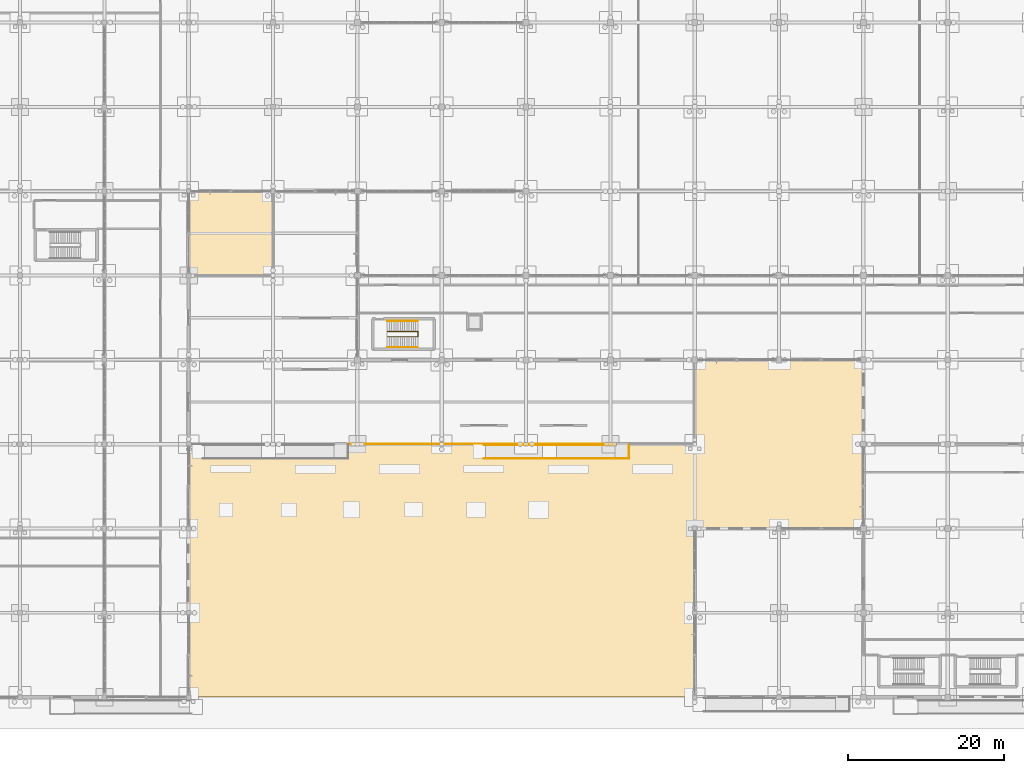
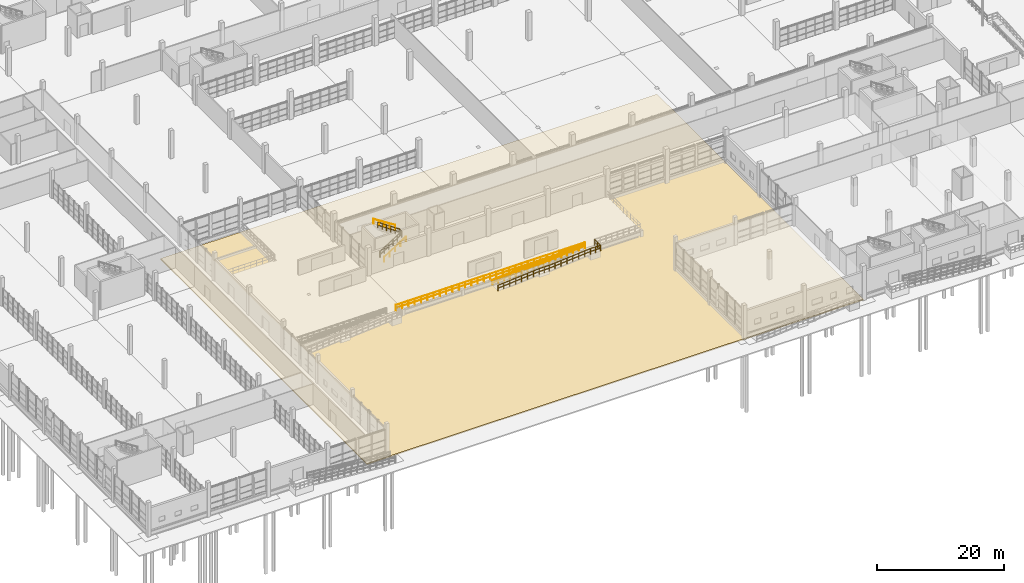
# One storey, part 127 of 138: 7 railings, 1 covering.
"""IFC4 building model written with IfcOpenShell, lengths in metres."""

from ifc_helpers import new_model, si_unit, direction, frame, origin, origin_2d, place, context, subcontext, project, spatial, polyline, circle, outline, extrude, material, layer, layer_set, type_object, element, save


model = new_model("IFC4")

# Units and contexts
model_context = context("Model", 3, precision=1e-05, world=origin(), true_north=direction((0.0, 1.0)))
body_context = subcontext(model_context, "Body", "Model", "MODEL_VIEW")
ifc_project = project(units=[si_unit("LENGTHUNIT", "METRE"), si_unit("AREAUNIT", "SQUARE_METRE"), si_unit("VOLUMEUNIT", "CUBIC_METRE"), si_unit("PLANEANGLEUNIT", "RADIAN"), si_unit("MASSUNIT", "GRAM", prefix="KILO")], contexts=[model_context])

# Site, building, storey
site_placement = place(None, origin())
site = spatial("IfcSite", under=ifc_project, at=site_placement, CompositionType="ELEMENT")
building_placement = place(site_placement, origin())
building = spatial("IfcBuilding", under=site, at=building_placement, Name="Zwinboog Wholesale Market", CompositionType="ELEMENT")
storey_placement = place(building_placement, origin())
storey = spatial("IfcBuildingStorey", under=building, at=storey_placement, Name="L00", CompositionType="ELEMENT", Elevation=0.0)

# Railings
ifc_material_1 = material(Name="Steel S355", Category="steel")
railing_type_1 = type_object("IfcRailingType", Name="RLT-EXT-GUARD", PredefinedType="BALUSTRADE", material=ifc_material_1)
railing_1_placement = place(storey_placement, frame((63.60009765625, 32.449951171875, 0.0)))
element("IfcRailing", 1, at=railing_1_placement, inside=storey, type_object=railing_type_1, Name="GR-01 (RLG-EXT-03)", PredefinedType="BALUSTRADE", context=body_context, shape_type="SweptSolid", body=[
    extrude(circle(Radius=0.02392578125, at=origin_2d()), frame((0.0, 0.0, 1.09619140625), z_axis=(1.0, 0.0, 0.0), x_axis=(0.0, 1.0, 0.0)), (0.0, 0.0, 1.0), 34.199951171875),
    extrude(circle(Radius=0.02392578125, at=origin_2d()), frame((0.0, 0.0, 0.5361328125), z_axis=(1.0, 0.0, 0.0), x_axis=(0.0, 1.0, 0.0)), (0.0, 0.0, 1.0), 34.199951171875),
    extrude(circle(Radius=0.02099609375, at=origin_2d()), origin(), (0.0, 0.0, 1.0), 1.072021484375),
    extrude(circle(Radius=0.02099609375, at=origin_2d()), frame((1.139892578125, 0.0, 0.0)), (0.0, 0.0, 1.0), 1.072021484375),
    extrude(circle(Radius=0.02099609375, at=origin_2d()), frame((2.280029296875, 0.0, 0.0)), (0.0, 0.0, 1.0), 1.072021484375),
    extrude(circle(Radius=0.02099609375, at=origin_2d()), frame((3.419921875, 0.0, 0.0)), (0.0, 0.0, 1.0), 1.072021484375),
    extrude(circle(Radius=0.02099609375, at=origin_2d()), frame((4.56005859375, 0.0, 0.0)), (0.0, 0.0, 1.0), 1.072021484375),
    extrude(circle(Radius=0.02099609375, at=origin_2d()), frame((5.699951171875, 0.0, 0.0)), (0.0, 0.0, 1.0), 1.072021484375),
    extrude(circle(Radius=0.02099609375, at=origin_2d()), frame((6.840087890625, 0.0, 0.0)), (0.0, 0.0, 1.0), 1.072021484375),
    extrude(circle(Radius=0.02099609375, at=origin_2d()), frame((7.97998046875, 0.0, 0.0)), (0.0, 0.0, 1.0), 1.072021484375),
    extrude(circle(Radius=0.02099609375, at=origin_2d()), frame((9.119873046875, 0.0, 0.0)), (0.0, 0.0, 1.0), 1.072021484375),
    extrude(circle(Radius=0.02099609375, at=origin_2d()), frame((10.260009765625, 0.0, 0.0)), (0.0, 0.0, 1.0), 1.072021484375),
    extrude(circle(Radius=0.02099609375, at=origin_2d()), frame((11.39990234375, 0.0, 0.0)), (0.0, 0.0, 1.0), 1.072021484375),
    extrude(circle(Radius=0.02099609375, at=origin_2d()), frame((12.5400390625, 0.0, 0.0)), (0.0, 0.0, 1.0), 1.072021484375),
    extrude(circle(Radius=0.02099609375, at=origin_2d()), frame((13.679931640625, 0.0, 0.0)), (0.0, 0.0, 1.0), 1.072021484375),
    extrude(circle(Radius=0.02099609375, at=origin_2d()), frame((14.820068359375, 0.0, 0.0)), (0.0, 0.0, 1.0), 1.072021484375),
    extrude(circle(Radius=0.02099609375, at=origin_2d()), frame((15.9599609375, 0.0, 0.0)), (0.0, 0.0, 1.0), 1.072021484375),
    extrude(circle(Radius=0.02099609375, at=origin_2d()), frame((17.10009765625, 0.0, 0.0)), (0.0, 0.0, 1.0), 1.072021484375),
    extrude(circle(Radius=0.02099609375, at=origin_2d()), frame((18.239990234375, 0.0, 0.0)), (0.0, 0.0, 1.0), 1.072021484375),
    extrude(circle(Radius=0.02099609375, at=origin_2d()), frame((19.3798828125, 0.0, 0.0)), (0.0, 0.0, 1.0), 1.072021484375),
    extrude(circle(Radius=0.02099609375, at=origin_2d()), frame((20.52001953125, 0.0, 0.0)), (0.0, 0.0, 1.0), 1.072021484375),
    extrude(circle(Radius=0.02099609375, at=origin_2d()), frame((21.659912109375, 0.0, 0.0)), (0.0, 0.0, 1.0), 1.072021484375),
    extrude(circle(Radius=0.02099609375, at=origin_2d()), frame((22.800048828125, 0.0, 0.0)), (0.0, 0.0, 1.0), 1.072021484375),
    extrude(circle(Radius=0.02099609375, at=origin_2d()), frame((23.93994140625, 0.0, 0.0)), (0.0, 0.0, 1.0), 1.072021484375),
    extrude(circle(Radius=0.02099609375, at=origin_2d()), frame((25.080078125, 0.0, 0.0)), (0.0, 0.0, 1.0), 1.072021484375),
    extrude(circle(Radius=0.02099609375, at=origin_2d()), frame((26.219970703125, 0.0, 0.0)), (0.0, 0.0, 1.0), 1.072021484375),
    extrude(circle(Radius=0.02099609375, at=origin_2d()), frame((27.35986328125, 0.0, 0.0)), (0.0, 0.0, 1.0), 1.072021484375),
    extrude(circle(Radius=0.02099609375, at=origin_2d()), frame((28.5, 0.0, 0.0)), (0.0, 0.0, 1.0), 1.072021484375),
    extrude(circle(Radius=0.02099609375, at=origin_2d()), frame((29.639892578125, 0.0, 0.0)), (0.0, 0.0, 1.0), 1.072021484375),
    extrude(circle(Radius=0.02099609375, at=origin_2d()), frame((30.780029296875, 0.0, 0.0)), (0.0, 0.0, 1.0), 1.072021484375),
    extrude(circle(Radius=0.02099609375, at=origin_2d()), frame((31.919921875, 0.0, 0.0)), (0.0, 0.0, 1.0), 1.072021484375),
    extrude(circle(Radius=0.02099609375, at=origin_2d()), frame((33.06005859375, 0.0, 0.0)), (0.0, 0.0, 1.0), 1.072021484375),
    extrude(circle(Radius=0.02099609375, at=origin_2d()), frame((34.199951171875, 0.0, 0.0)), (0.0, 0.0, 1.0), 1.072021484375),
])
railing_2_placement = place(storey_placement, frame((81.0, 30.590087890625, -1.199951171875)))
element("IfcRailing", 2, at=railing_2_placement, inside=storey, type_object=railing_type_1, Name="GR-01 (RLG-RMP-02-GO)", PredefinedType="BALUSTRADE", context=body_context, shape_type="SweptSolid", body=[
    extrude(circle(Radius=0.02392578125, at=origin_2d()), frame((0.0, 0.0, 1.09619140625), z_axis=(0.99681682597, 0.0, 0.079725876999), x_axis=(0.0, 1.0, 0.0)), (0.0, 0.0, 1.0), 7.52392578125),
    extrude(circle(Radius=0.02392578125, at=origin_2d()), frame((0.0, 0.0, 0.5361328125), z_axis=(0.99681682597, 0.0, 0.079725876999), x_axis=(0.0, 1.0, 0.0)), (0.0, 0.0, 1.0), 7.52392578125),
    extrude(circle(Radius=0.02392578125, at=origin_2d()), frame((7.5, 0.0, 1.69580078125), z_axis=(1.0, 0.0, 0.0), x_axis=(0.0, 1.0, 0.0)), (0.0, 0.0, 1.0), 1.800048828125),
    extrude(circle(Radius=0.02392578125, at=origin_2d()), frame((7.5, 0.0, 1.1357421875), z_axis=(1.0, 0.0, 0.0), x_axis=(0.0, 1.0, 0.0)), (0.0, 0.0, 1.0), 1.800048828125),
    extrude(circle(Radius=0.02392578125, at=origin_2d()), frame((9.300048828125, 0.0, 1.69580078125), z_axis=(0.996814246708, 0.0, 0.079758119089), x_axis=(0.0, 1.0, 0.0)), (0.0, 0.0, 1.0), 7.52392578125),
    extrude(circle(Radius=0.02392578125, at=origin_2d()), frame((9.300048828125, 0.0, 1.1357421875), z_axis=(0.996814246708, 0.0, 0.079758119089), x_axis=(0.0, 1.0, 0.0)), (0.0, 0.0, 1.0), 7.52392578125),
    extrude(circle(Radius=0.02392578125, at=origin_2d()), frame((16.800048828125, 0.0, 2.2958984375), z_axis=(1.0, 0.0, 0.0), x_axis=(0.0, 1.0, 0.0)), (0.0, 0.0, 1.0), 1.800048828125),
    extrude(circle(Radius=0.02392578125, at=origin_2d()), frame((16.800048828125, 0.0, 1.73583984375), z_axis=(1.0, 0.0, 0.0), x_axis=(0.0, 1.0, 0.0)), (0.0, 0.0, 1.0), 1.800048828125),
    extrude(circle(Radius=0.02392578125, at=origin_2d()), frame((18.60009765625, 0.0, 2.2958984375), z_axis=(0.0, 1.0, 0.0), x_axis=(-1.0, 0.0, 0.0)), (0.0, 0.0, 1.0), 1.809814453125),
    extrude(circle(Radius=0.02392578125, at=origin_2d()), frame((18.60009765625, 0.0, 1.73583984375), z_axis=(0.0, 1.0, 0.0), x_axis=(-1.0, 0.0, 0.0)), (0.0, 0.0, 1.0), 1.809814453125),
    extrude(circle(Radius=0.02099609375, at=origin_2d()), origin(), (0.0, 0.0, 1.0), 1.072021484375),
    extrude(circle(Radius=0.02099609375, at=origin_2d()), frame((1.071533203125, 0.0, 0.085693359375)), (0.0, 0.0, 1.0), 1.072021484375),
    extrude(circle(Radius=0.02099609375, at=origin_2d()), frame((2.142822265625, 0.0, 0.17138671875)), (0.0, 0.0, 1.0), 1.072021484375),
    extrude(circle(Radius=0.02099609375, at=origin_2d()), frame((3.21435546875, 0.0, 0.257080078125)), (0.0, 0.0, 1.0), 1.072021484375),
    extrude(circle(Radius=0.02099609375, at=origin_2d()), frame((4.28564453125, 0.0, 0.3427734375)), (0.0, 0.0, 1.0), 1.072021484375),
    extrude(circle(Radius=0.02099609375, at=origin_2d()), frame((5.357177734375, 0.0, 0.428466796875)), (0.0, 0.0, 1.0), 1.072021484375),
    extrude(circle(Radius=0.02099609375, at=origin_2d()), frame((6.428466796875, 0.0, 0.51416015625)), (0.0, 0.0, 1.0), 1.072021484375),
    extrude(circle(Radius=0.02099609375, at=origin_2d()), frame((7.5, 0.0, 0.599853515625)), (0.0, 0.0, 1.0), 1.072021484375),
    extrude(circle(Radius=0.02099609375, at=origin_2d()), frame((8.39990234375, 0.0, 0.599853515625)), (0.0, 0.0, 1.0), 1.072021484375),
    extrude(circle(Radius=0.02099609375, at=origin_2d()), frame((9.300048828125, 0.0, 0.599853515625)), (0.0, 0.0, 1.0), 1.072021484375),
    extrude(circle(Radius=0.02099609375, at=origin_2d()), frame((10.37158203125, 0.0, 0.685546875)), (0.0, 0.0, 1.0), 1.072021484375),
    extrude(circle(Radius=0.02099609375, at=origin_2d()), frame((11.44287109375, 0.0, 0.771240234375)), (0.0, 0.0, 1.0), 1.072021484375),
    extrude(circle(Radius=0.02099609375, at=origin_2d()), frame((12.514404296875, 0.0, 0.85693359375)), (0.0, 0.0, 1.0), 1.072021484375),
    extrude(circle(Radius=0.02099609375, at=origin_2d()), frame((13.585693359375, 0.0, 0.94287109375)), (0.0, 0.0, 1.0), 1.072021484375),
    extrude(circle(Radius=0.02099609375, at=origin_2d()), frame((14.6572265625, 0.0, 1.028564453125)), (0.0, 0.0, 1.0), 1.072021484375),
    extrude(circle(Radius=0.02099609375, at=origin_2d()), frame((15.728515625, 0.0, 1.1142578125)), (0.0, 0.0, 1.0), 1.072021484375),
    extrude(circle(Radius=0.02099609375, at=origin_2d()), frame((16.800048828125, 0.0, 1.199951171875)), (0.0, 0.0, 1.0), 1.072021484375),
    extrude(circle(Radius=0.02099609375, at=origin_2d()), frame((17.7001953125, 0.0, 1.199951171875)), (0.0, 0.0, 1.0), 1.072021484375),
    extrude(circle(Radius=0.02099609375, at=origin_2d()), frame((18.60009765625, 0.0, 1.199951171875)), (0.0, 0.0, 1.0), 1.072021484375),
    extrude(circle(Radius=0.02099609375, at=origin_2d()), frame((18.60009765625, 0.90478515625, 1.199951171875)), (0.0, 0.0, 1.0), 1.072021484375),
    extrude(circle(Radius=0.02099609375, at=origin_2d()), frame((18.60009765625, 1.809814453125, 1.199951171875)), (0.0, 0.0, 1.0), 1.072021484375),
])
railing_3_placement = place(storey_placement, frame((81.0, 32.320068359375, -1.199951171875)))
element("IfcRailing", 3, at=railing_3_placement, inside=storey, type_object=railing_type_1, Name="GR-01 (RLG-RMP-02-GI)", PredefinedType="BALUSTRADE", context=body_context, shape_type="SweptSolid", body=[
    extrude(circle(Radius=0.02392578125, at=origin_2d()), frame((0.0, 0.0, 1.09619140625), z_axis=(0.99681682597, 0.0, 0.079725876999), x_axis=(0.0, 1.0, 0.0)), (0.0, 0.0, 1.0), 7.52392578125),
    extrude(circle(Radius=0.02392578125, at=origin_2d()), frame((0.0, 0.0, 0.5361328125), z_axis=(0.99681682597, 0.0, 0.079725876999), x_axis=(0.0, 1.0, 0.0)), (0.0, 0.0, 1.0), 7.52392578125),
    extrude(circle(Radius=0.02392578125, at=origin_2d()), frame((7.5, 0.0, 1.69580078125), z_axis=(1.0, 0.0, 0.0), x_axis=(0.0, 1.0, 0.0)), (0.0, 0.0, 1.0), 1.800048828125),
    extrude(circle(Radius=0.02392578125, at=origin_2d()), frame((7.5, 0.0, 1.1357421875), z_axis=(1.0, 0.0, 0.0), x_axis=(0.0, 1.0, 0.0)), (0.0, 0.0, 1.0), 1.800048828125),
    extrude(circle(Radius=0.02392578125, at=origin_2d()), frame((9.300048828125, 0.0, 1.69580078125), z_axis=(0.996814246708, 0.0, 0.079758119089), x_axis=(0.0, 1.0, 0.0)), (0.0, 0.0, 1.0), 7.52392578125),
    extrude(circle(Radius=0.02392578125, at=origin_2d()), frame((9.300048828125, 0.0, 1.1357421875), z_axis=(0.996814246708, 0.0, 0.079758119089), x_axis=(0.0, 1.0, 0.0)), (0.0, 0.0, 1.0), 7.52392578125),
    extrude(circle(Radius=0.02099609375, at=origin_2d()), origin(), (0.0, 0.0, 1.0), 1.072021484375),
    extrude(circle(Radius=0.02099609375, at=origin_2d()), frame((1.071533203125, 0.0, 0.085693359375)), (0.0, 0.0, 1.0), 1.072021484375),
    extrude(circle(Radius=0.02099609375, at=origin_2d()), frame((2.142822265625, 0.0, 0.17138671875)), (0.0, 0.0, 1.0), 1.072021484375),
    extrude(circle(Radius=0.02099609375, at=origin_2d()), frame((3.21435546875, 0.0, 0.257080078125)), (0.0, 0.0, 1.0), 1.072021484375),
    extrude(circle(Radius=0.02099609375, at=origin_2d()), frame((4.28564453125, 0.0, 0.3427734375)), (0.0, 0.0, 1.0), 1.072021484375),
    extrude(circle(Radius=0.02099609375, at=origin_2d()), frame((5.357177734375, 0.0, 0.428466796875)), (0.0, 0.0, 1.0), 1.072021484375),
    extrude(circle(Radius=0.02099609375, at=origin_2d()), frame((6.428466796875, 0.0, 0.51416015625)), (0.0, 0.0, 1.0), 1.072021484375),
    extrude(circle(Radius=0.02099609375, at=origin_2d()), frame((7.5, 0.0, 0.599853515625)), (0.0, 0.0, 1.0), 1.072021484375),
    extrude(circle(Radius=0.02099609375, at=origin_2d()), frame((8.39990234375, 0.0, 0.599853515625)), (0.0, 0.0, 1.0), 1.072021484375),
    extrude(circle(Radius=0.02099609375, at=origin_2d()), frame((9.300048828125, 0.0, 0.599853515625)), (0.0, 0.0, 1.0), 1.072021484375),
    extrude(circle(Radius=0.02099609375, at=origin_2d()), frame((10.37158203125, 0.0, 0.685546875)), (0.0, 0.0, 1.0), 1.072021484375),
    extrude(circle(Radius=0.02099609375, at=origin_2d()), frame((11.44287109375, 0.0, 0.771240234375)), (0.0, 0.0, 1.0), 1.072021484375),
    extrude(circle(Radius=0.02099609375, at=origin_2d()), frame((12.514404296875, 0.0, 0.85693359375)), (0.0, 0.0, 1.0), 1.072021484375),
    extrude(circle(Radius=0.02099609375, at=origin_2d()), frame((13.585693359375, 0.0, 0.94287109375)), (0.0, 0.0, 1.0), 1.072021484375),
    extrude(circle(Radius=0.02099609375, at=origin_2d()), frame((14.6572265625, 0.0, 1.028564453125)), (0.0, 0.0, 1.0), 1.072021484375),
    extrude(circle(Radius=0.02099609375, at=origin_2d()), frame((15.728515625, 0.0, 1.1142578125)), (0.0, 0.0, 1.0), 1.072021484375),
    extrude(circle(Radius=0.02099609375, at=origin_2d()), frame((16.800048828125, 0.0, 1.199951171875)), (0.0, 0.0, 1.0), 1.072021484375),
])

# Covering
ifc_material_2 = material(Name="Concrete C35/45", Category="concrete")
ifc_layer = layer(ifc_material_2, 0.219970703125)
ifc_layer_set = layer_set([ifc_layer], Name="Concrete C35/45")
covering_type = type_object("IfcCoveringType", Name="COV-YARD-PAVE", PredefinedType="FLOORING", material=ifc_layer_set)
covering_placement = place(storey_placement, frame((0.0, 0.0, -1.419921875)))
element("IfcCovering", 4, at=covering_placement, inside=storey, type_object=covering_type, Name="South Park Garden Court Walkways", PredefinedType="FLOORING", context=body_context, shape_type="SweptSolid", body=[
    extrude(outline(polyline([(39.60009765625, 0.0), (129.60009765625, 0.0), (129.60009765625, 64.800048828125), (39.60009765625, 64.800048828125), (39.60009765625, 0.0)])), origin(), (0.0, 0.0, 1.0), 0.219970703125),
])

# Railings
railing_type_2 = type_object("IfcRailingType", Name="RLT-INT-GUARD", PredefinedType="BALUSTRADE", material=ifc_material_1)
railing_4_placement = place(storey_placement, frame((68.6201171875, 46.159912109375, 0.179931640625)))
element("IfcRailing", 5, at=railing_4_placement, inside=storey, type_object=railing_type_2, Name="GR-02 (RLG-ST-06-G1)", PredefinedType="BALUSTRADE", context=body_context, shape_type="SweptSolid", body=[
    extrude(circle(Radius=0.02392578125, at=origin_2d()), frame((0.0, 0.0, 1.09619140625), z_axis=(0.841171666519, 0.0, 0.540768182723), x_axis=(0.0, 1.0, 0.0)), (0.0, 0.0, 1.0), 4.66015625),
    extrude(circle(Radius=0.02392578125, at=origin_2d()), frame((0.0, 0.0, 0.5361328125), z_axis=(0.841171666519, 0.0, 0.540768182723), x_axis=(0.0, 1.0, 0.0)), (0.0, 0.0, 1.0), 4.66015625),
    extrude(circle(Radius=0.02392578125, at=origin_2d()), frame((3.919921875, 0.0, 3.6162109375), z_axis=(0.0, 1.0, 0.0), x_axis=(-1.0, 0.0, 0.0)), (0.0, 0.0, 1.0), 0.68017578125),
    extrude(circle(Radius=0.02392578125, at=origin_2d()), frame((3.919921875, 0.0, 3.05615234375), z_axis=(0.0, 1.0, 0.0), x_axis=(-1.0, 0.0, 0.0)), (0.0, 0.0, 1.0), 0.68017578125),
    extrude(circle(Radius=0.02392578125, at=origin_2d()), frame((3.919921875, 0.68017578125, 3.6162109375), z_axis=(-0.823550731654, 0.0, 0.567242622158), x_axis=(0.0, -1.0, 0.0)), (0.0, 0.0, 1.0), 4.759765625),
    extrude(circle(Radius=0.02392578125, at=origin_2d()), frame((3.919921875, 0.68017578125, 3.05615234375), z_axis=(-0.823550731654, 0.0, 0.567242622158), x_axis=(0.0, -1.0, 0.0)), (0.0, 0.0, 1.0), 4.759765625),
    extrude(circle(Radius=0.02099609375, at=origin_2d()), origin(), (0.0, 0.0, 1.0), 1.072021484375),
    extrude(circle(Radius=0.02099609375, at=origin_2d()), frame((0.783935546875, 0.0, 0.50390625)), (0.0, 0.0, 1.0), 1.072021484375),
    extrude(circle(Radius=0.02099609375, at=origin_2d()), frame((1.56787109375, 0.0, 1.008056640625)), (0.0, 0.0, 1.0), 1.072021484375),
    extrude(circle(Radius=0.02099609375, at=origin_2d()), frame((2.35205078125, 0.0, 1.511962890625)), (0.0, 0.0, 1.0), 1.072021484375),
    extrude(circle(Radius=0.02099609375, at=origin_2d()), frame((3.135986328125, 0.0, 2.01611328125)), (0.0, 0.0, 1.0), 1.072021484375),
    extrude(circle(Radius=0.02099609375, at=origin_2d()), frame((3.919921875, 0.0, 2.52001953125)), (0.0, 0.0, 1.0), 1.072021484375),
    extrude(circle(Radius=0.02099609375, at=origin_2d()), frame((3.919921875, 0.68017578125, 2.52001953125)), (0.0, 0.0, 1.0), 1.072021484375),
    extrude(circle(Radius=0.02099609375, at=origin_2d()), frame((3.135986328125, 0.68017578125, 3.06005859375)), (0.0, 0.0, 1.0), 1.072021484375),
    extrude(circle(Radius=0.02099609375, at=origin_2d()), frame((2.35205078125, 0.68017578125, 3.60009765625)), (0.0, 0.0, 1.0), 1.072021484375),
    extrude(circle(Radius=0.02099609375, at=origin_2d()), frame((1.56787109375, 0.68017578125, 4.139892578125)), (0.0, 0.0, 1.0), 1.072021484375),
    extrude(circle(Radius=0.02099609375, at=origin_2d()), frame((0.783935546875, 0.68017578125, 4.679931640625)), (0.0, 0.0, 1.0), 1.072021484375),
    extrude(circle(Radius=0.02099609375, at=origin_2d()), frame((0.0, 0.68017578125, 5.219970703125)), (0.0, 0.0, 1.0), 1.072021484375),
])
railing_type_3 = type_object("IfcRailingType", Name="RLT-HANDRAIL", PredefinedType="HANDRAIL", material=ifc_material_1)
railing_5_placement = place(storey_placement, frame((68.6201171875, 44.81005859375, 0.179931640625)))
element("IfcRailing", 6, at=railing_5_placement, inside=storey, type_object=railing_type_3, Name="HR-01 (RLG-ST-06-HR1)", PredefinedType="HANDRAIL", context=body_context, shape_type="SweptSolid", body=[
    extrude(circle(Radius=0.02392578125, at=origin_2d()), frame((0.0, 0.0, 0.8759765625), z_axis=(0.841171666519, 0.0, 0.540768182723), x_axis=(0.0, 1.0, 0.0)), (0.0, 0.0, 1.0), 4.66015625),
    extrude(circle(Radius=0.02099609375, at=origin_2d()), origin(), (0.0, 0.0, 1.0), 0.851806640625),
    extrude(circle(Radius=0.02099609375, at=origin_2d()), frame((0.97998046875, 0.0, 0.6298828125)), (0.0, 0.0, 1.0), 0.851806640625),
    extrude(circle(Radius=0.02099609375, at=origin_2d()), frame((1.9599609375, 0.0, 1.260009765625)), (0.0, 0.0, 1.0), 0.851806640625),
    extrude(circle(Radius=0.02099609375, at=origin_2d()), frame((2.93994140625, 0.0, 1.89013671875)), (0.0, 0.0, 1.0), 0.851806640625),
    extrude(circle(Radius=0.02099609375, at=origin_2d()), frame((3.919921875, 0.0, 2.52001953125)), (0.0, 0.0, 1.0), 0.851806640625),
])
railing_6_placement = place(storey_placement, frame((72.5400390625, 48.18994140625, 2.8798828125)))
element("IfcRailing", 7, at=railing_6_placement, inside=storey, type_object=railing_type_3, Name="HR-01 (RLG-ST-06-HR2)", PredefinedType="HANDRAIL", context=body_context, shape_type="SweptSolid", body=[
    extrude(circle(Radius=0.02392578125, at=origin_2d()), frame((0.0, 0.0, 0.8759765625), z_axis=(-0.841171666519, 0.0, 0.540768182723), x_axis=(0.0, -1.0, 0.0)), (0.0, 0.0, 1.0), 4.66015625),
    extrude(circle(Radius=0.02099609375, at=origin_2d()), origin(), (0.0, 0.0, 1.0), 0.851806640625),
    extrude(circle(Radius=0.02099609375, at=origin_2d()), frame((-0.97998046875, 0.0, 0.6298828125)), (0.0, 0.0, 1.0), 0.851806640625),
    extrude(circle(Radius=0.02099609375, at=origin_2d()), frame((-1.9599609375, 0.0, 1.260009765625)), (0.0, 0.0, 1.0), 0.851806640625),
    extrude(circle(Radius=0.02099609375, at=origin_2d()), frame((-2.93994140625, 0.0, 1.89013671875)), (0.0, 0.0, 1.0), 0.851806640625),
    extrude(circle(Radius=0.02099609375, at=origin_2d()), frame((-3.919921875, 0.0, 2.52001953125)), (0.0, 0.0, 1.0), 0.851806640625),
])
railing_7_placement = place(storey_placement, frame((81.0, 32.320068359375, -1.199951171875)))
element("IfcRailing", 8, at=railing_7_placement, inside=storey, type_object=railing_type_3, Name="HR-01 (RLG-RMP-02-HR)", PredefinedType="HANDRAIL", context=body_context, shape_type="SweptSolid", body=[
    extrude(circle(Radius=0.02392578125, at=origin_2d()), frame((0.0, 0.0, 0.8759765625), z_axis=(0.99681682597, 0.0, 0.079725876999), x_axis=(0.0, 1.0, 0.0)), (0.0, 0.0, 1.0), 7.52392578125),
    extrude(circle(Radius=0.02392578125, at=origin_2d()), frame((7.5, 0.0, 1.4755859375), z_axis=(1.0, 0.0, 0.0), x_axis=(0.0, 1.0, 0.0)), (0.0, 0.0, 1.0), 1.800048828125),
    extrude(circle(Radius=0.02392578125, at=origin_2d()), frame((9.300048828125, 0.0, 1.4755859375), z_axis=(0.996814246708, 0.0, 0.079758119089), x_axis=(0.0, 1.0, 0.0)), (0.0, 0.0, 1.0), 7.52392578125),
    extrude(circle(Radius=0.02099609375, at=origin_2d()), origin(), (0.0, 0.0, 1.0), 0.851806640625),
    extrude(circle(Radius=0.02099609375, at=origin_2d()), frame((1.071533203125, 0.0, 0.085693359375)), (0.0, 0.0, 1.0), 0.851806640625),
    extrude(circle(Radius=0.02099609375, at=origin_2d()), frame((2.142822265625, 0.0, 0.17138671875)), (0.0, 0.0, 1.0), 0.851806640625),
    extrude(circle(Radius=0.02099609375, at=origin_2d()), frame((3.21435546875, 0.0, 0.257080078125)), (0.0, 0.0, 1.0), 0.851806640625),
    extrude(circle(Radius=0.02099609375, at=origin_2d()), frame((4.28564453125, 0.0, 0.3427734375)), (0.0, 0.0, 1.0), 0.851806640625),
    extrude(circle(Radius=0.02099609375, at=origin_2d()), frame((5.357177734375, 0.0, 0.428466796875)), (0.0, 0.0, 1.0), 0.851806640625),
    extrude(circle(Radius=0.02099609375, at=origin_2d()), frame((6.428466796875, 0.0, 0.51416015625)), (0.0, 0.0, 1.0), 0.851806640625),
    extrude(circle(Radius=0.02099609375, at=origin_2d()), frame((7.5, 0.0, 0.599853515625)), (0.0, 0.0, 1.0), 0.851806640625),
    extrude(circle(Radius=0.02099609375, at=origin_2d()), frame((8.39990234375, 0.0, 0.599853515625)), (0.0, 0.0, 1.0), 0.851806640625),
    extrude(circle(Radius=0.02099609375, at=origin_2d()), frame((9.300048828125, 0.0, 0.599853515625)), (0.0, 0.0, 1.0), 0.851806640625),
    extrude(circle(Radius=0.02099609375, at=origin_2d()), frame((10.37158203125, 0.0, 0.685546875)), (0.0, 0.0, 1.0), 0.851806640625),
    extrude(circle(Radius=0.02099609375, at=origin_2d()), frame((11.44287109375, 0.0, 0.771240234375)), (0.0, 0.0, 1.0), 0.851806640625),
    extrude(circle(Radius=0.02099609375, at=origin_2d()), frame((12.514404296875, 0.0, 0.85693359375)), (0.0, 0.0, 1.0), 0.851806640625),
    extrude(circle(Radius=0.02099609375, at=origin_2d()), frame((13.585693359375, 0.0, 0.94287109375)), (0.0, 0.0, 1.0), 0.851806640625),
    extrude(circle(Radius=0.02099609375, at=origin_2d()), frame((14.6572265625, 0.0, 1.028564453125)), (0.0, 0.0, 1.0), 0.851806640625),
    extrude(circle(Radius=0.02099609375, at=origin_2d()), frame((15.728515625, 0.0, 1.1142578125)), (0.0, 0.0, 1.0), 0.851806640625),
    extrude(circle(Radius=0.02099609375, at=origin_2d()), frame((16.800048828125, 0.0, 1.199951171875)), (0.0, 0.0, 1.0), 0.851806640625),
])

save(model, "model.ifc")
